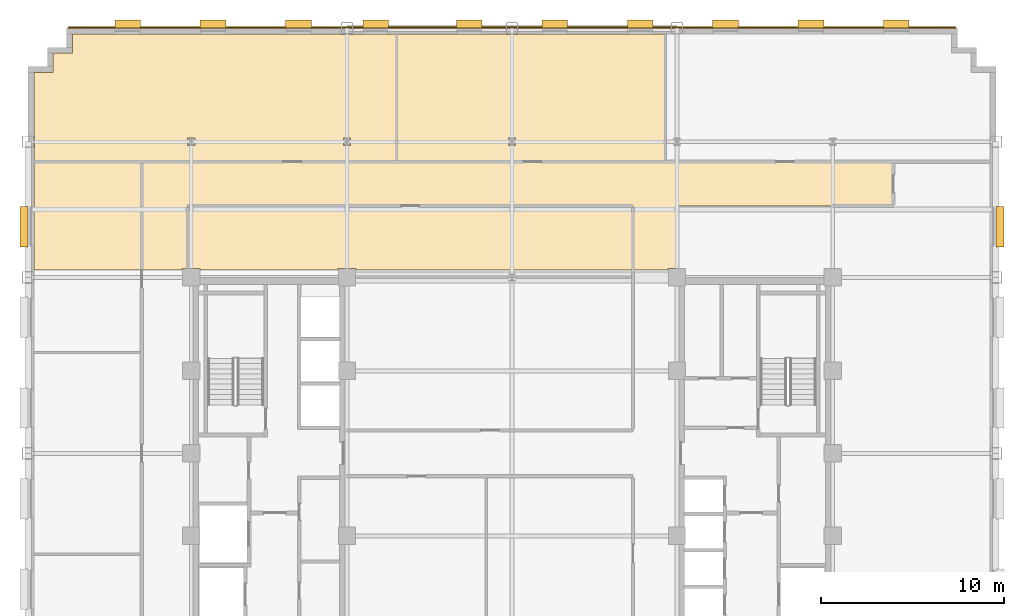
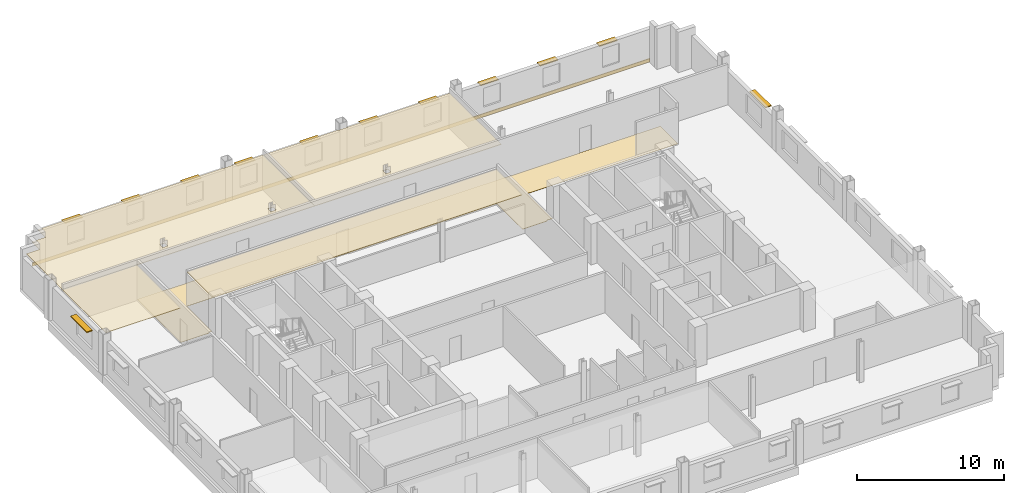
# One storey, part 13 of 13: 12 shading devices, 6 coverings.
"""IFC4 building model written with IfcOpenShell, lengths in metres."""

from ifc_helpers import new_model, si_unit, direction, frame, origin, origin_2d, place, context, subcontext, project, spatial, polyline, rectangle, outline, extrude, source, transform, mapped, material, layer, layer_set, type_object, type_shapes, element, save


model = new_model("IFC4")

# Units and contexts
model_context = context("Model", 3, precision=1e-05, world=origin(), true_north=direction((0.0, 1.0)))
body_context = subcontext(model_context, "Body", "Model", "MODEL_VIEW")
ifc_project = project(units=[si_unit("LENGTHUNIT", "METRE"), si_unit("AREAUNIT", "SQUARE_METRE"), si_unit("VOLUMEUNIT", "CUBIC_METRE"), si_unit("PLANEANGLEUNIT", "RADIAN"), si_unit("MASSUNIT", "GRAM", prefix="KILO")], contexts=[model_context])

# Site, building, storey
site_placement = place(None, origin())
site = spatial("IfcSite", under=ifc_project, at=site_placement, CompositionType="ELEMENT")
building_placement = place(site_placement, origin())
building = spatial("IfcBuilding", under=site, at=building_placement, Name="Nuvemarco Arch Tower", CompositionType="ELEMENT")
storey_placement = place(building_placement, frame((0.0, 0.0, 149.39990234375)))
storey = spatial("IfcBuildingStorey", under=building, at=storey_placement, Name="L39", CompositionType="ELEMENT", Elevation=149.39990234375)

# Coverings
ifc_material_1 = material(Name="Mineral acoustic ceiling tile")
ifc_layer_1 = layer(ifc_material_1, 0.0400390625, Name="COV-ACOUSTIC-CLG")
ifc_layer_set_1 = layer_set([ifc_layer_1], Name="Mineral acoustic ceiling tile")
covering_type_1 = type_object("IfcCoveringType", Name="COV-ACOUSTIC-CLG", PredefinedType="CEILING", material=ifc_layer_set_1)
covering_1_placement = place(storey_placement, frame((0.0, 0.0, 2.85009765625)))
element("IfcCovering", 1, at=covering_1_placement, inside=storey, type_object=covering_type_1, Name="L39 suspended acoustic ceiling 2", PredefinedType="CEILING", context=body_context, shape_type="SweptSolid", body=[
    extrude(outline(polyline([(-26.06005859375, 16.659912109375), (-26.06005859375, 17.340087890625), (-26.080078125, 17.340087890625), (-26.080078125, 20.780029296875), (-25.030029296875, 20.780029296875), (-25.030029296875, 21.830078125), (-23.97998046875, 21.830078125), (-23.97998046875, 22.8798828125), (-9.340087890625, 22.8798828125), (-9.340087890625, 22.860107421875), (-8.659912109375, 22.860107421875), (-8.659912109375, 22.8798828125), (-6.280029296875, 22.8798828125), (-6.280029296875, 15.89990234375), (-17.699951171875, 15.89990234375), (-20.199951171875, 15.89990234375), (-26.080078125, 15.89990234375), (-26.080078125, 16.659912109375), (-26.06005859375, 16.659912109375)]), holes=[polyline([(-17.304931640625, 16.804931640625), (-17.304931640625, 17.195068359375), (-17.695068359375, 17.195068359375), (-17.695068359375, 16.804931640625), (-17.304931640625, 16.804931640625)]), polyline([(-8.804931640625, 16.804931640625), (-8.804931640625, 17.195068359375), (-9.195068359375, 17.195068359375), (-9.195068359375, 16.804931640625), (-8.804931640625, 16.804931640625)])]), origin(), (0.0, 0.0, 1.0), 0.0400390625),
])
covering_2_placement = place(storey_placement, frame((0.0, 0.0, 2.85009765625)))
element("IfcCovering", 2, at=covering_2_placement, inside=storey, type_object=covering_type_1, Name="L39 suspended acoustic ceiling 3", PredefinedType="CEILING", context=body_context, shape_type="SweptSolid", body=[
    extrude(outline(polyline([(-0.340087890625, 22.860107421875), (0.340087890625, 22.860107421875), (0.340087890625, 22.8798828125), (8.35009765625, 22.8798828125), (8.35009765625, 15.89990234375), (6.60009765625, 15.89990234375), (-6.280029296875, 15.89990234375), (-6.280029296875, 22.8798828125), (-0.340087890625, 22.8798828125), (-0.340087890625, 22.860107421875)]), holes=[polyline([(0.195068359375, 16.804931640625), (0.195068359375, 17.195068359375), (-0.195068359375, 17.195068359375), (-0.195068359375, 16.804931640625), (0.195068359375, 16.804931640625)])]), origin(), (0.0, 0.0, 1.0), 0.0400390625),
])
covering_3_placement = place(storey_placement, frame((0.0, 0.0, 2.85009765625)))
element("IfcCovering", 3, at=covering_3_placement, inside=storey, type_object=covering_type_1, Name="L39 suspended acoustic ceiling 4", PredefinedType="CEILING", context=body_context, shape_type="SweptSolid", body=[
    extrude(outline(polyline([(6.60009765625, 13.5), (6.60009765625, 10.0), (-8.510009765625, 10.0), (-8.510009765625, 10.090087890625), (-9.489990234375, 10.090087890625), (-9.489990234375, 10.0), (-17.010009765625, 10.0), (-17.010009765625, 10.090087890625), (-17.699951171875, 10.090087890625), (-17.699951171875, 13.5), (6.60009765625, 13.5)])), origin(), (0.0, 0.0, 1.0), 0.0400390625),
])
covering_4_placement = place(storey_placement, frame((0.0, 0.0, 2.85009765625)))
element("IfcCovering", 4, at=covering_4_placement, inside=storey, type_object=covering_type_1, Name="L39 suspended acoustic ceiling 8", PredefinedType="CEILING", context=body_context, shape_type="SweptSolid", body=[
    extrude(outline(polyline([(-20.199951171875, 15.89990234375), (-20.199951171875, 13.5), (-20.199951171875, 10.0), (-26.080078125, 10.0), (-26.080078125, 15.89990234375), (-20.199951171875, 15.89990234375)])), origin(), (0.0, 0.0, 1.0), 0.0400390625),
])
ifc_material_2 = material(Name="Polished granite terrazzostone flooring", Category="masonry")
ifc_layer_2 = layer(ifc_material_2, 0.02001953125, Name="COV-LOBBY-FLR")
ifc_layer_set_2 = layer_set([ifc_layer_2], Name="Polished granite terrazzostone flooring")
covering_type_2 = type_object("IfcCoveringType", Name="COV-LOBBY-FLR", PredefinedType="FLOORING", material=ifc_layer_set_2)
covering_5_placement = place(storey_placement, origin())
element("IfcCovering", 5, at=covering_5_placement, inside=storey, type_object=covering_type_2, Name="L39 polished terrazzo lobby flooring", PredefinedType="FLOORING", context=body_context, shape_type="SweptSolid", body=[
    extrude(outline(polyline([(-20.199951171875, 13.5), (-20.199951171875, 15.89990234375), (-17.699951171875, 15.89990234375), (6.60009765625, 15.89990234375), (9.0, 15.89990234375), (20.800048828125, 15.89990234375), (20.800048828125, 13.5), (9.0, 13.5), (9.0, 10.090087890625), (8.510009765625, 10.090087890625), (8.510009765625, 10.0), (6.60009765625, 10.0), (6.60009765625, 13.5), (-17.699951171875, 13.5), (-17.699951171875, 10.090087890625), (-17.989990234375, 10.090087890625), (-17.989990234375, 10.0), (-20.199951171875, 10.0), (-20.199951171875, 13.5)])), origin(), (0.0, 0.0, 1.0), 0.02001953125),
])

# Shading devices
ifc_material_3 = material(Name="Anodised aluminium 6063-T6", Category="aluminium")
shading_device_type_1 = type_object("IfcShadingDeviceType", Name="SHD-BRISE-SOLEIL", PredefinedType="USERDEFINED", material=ifc_material_3)
shared_shape_1 = source(origin(), body_context, "Body", "SweptSolid", [
    extrude(rectangle(XDim=2.199951171875, YDim=0.449951171875, at=origin_2d()), origin(), (0.0, 0.0, 1.0), 0.080078125),
])
type_shapes(shading_device_type_1, [shared_shape_1])
for number, where, z_axis, x_axis, name in (
    (6, (26.614990234375, 12.364990234375, 2.364990234375), (0.0, 0.0, 1.0), (0.0, 1.0, 0.0), "L39 horizontal brise-soleil sunshade"),
    (7, (-26.614990234375, 12.364990234375, 2.364990234375), (0.0, 0.0, 1.0), (0.0, 1.0, 0.0), "L39 horizontal brise-soleil sunshade"),
):
    element("IfcShadingDevice", number, at=place(storey_placement, frame(where, z_axis=z_axis, x_axis=x_axis)), inside=storey, type_object=shading_device_type_1, Name=name, ObjectType="SUNSHADE", PredefinedType="USERDEFINED", context=body_context, shape_type="MappedRepresentation", body=[
        mapped(shared_shape_1, transform((0.0, 0.0, 0.0), scale=1.0)),
    ])
shading_device_type_2 = type_object("IfcShadingDeviceType", Name="SHD-BRISE-NARROW", PredefinedType="USERDEFINED", material=ifc_material_3)
shared_shape_2 = source(origin(), body_context, "Body", "SweptSolid", [
    extrude(rectangle(XDim=1.39990234375, YDim=0.449951171875, at=origin_2d()), origin(), (0.0, 0.0, 1.0), 0.080078125),
])
type_shapes(shading_device_type_2, [shared_shape_2])
for number, where, z_axis, x_axis, name in (
    (8, (-20.969970703125, 23.4150390625, 2.364990234375), (0.0, 0.0, 1.0), (1.0, 0.0, 0.0), "L39 horizontal brise-soleil sunshade"),
    (9, (-16.31005859375, 23.4150390625, 2.364990234375), (0.0, 0.0, 1.0), (1.0, 0.0, 0.0), "L39 horizontal brise-soleil sunshade"),
    (10, (-11.64990234375, 23.4150390625, 2.364990234375), (0.0, 0.0, 1.0), (1.0, 0.0, 0.0), "L39 horizontal brise-soleil sunshade"),
    (11, (-7.43994140625, 23.4150390625, 2.364990234375), (0.0, 0.0, 1.0), (1.0, 0.0, 0.0), "L39 horizontal brise-soleil sunshade"),
    (12, (-2.330078125, 23.4150390625, 2.364990234375), (0.0, 0.0, 1.0), (1.0, 0.0, 0.0), "L39 horizontal brise-soleil sunshade"),
    (13, (2.330078125, 23.4150390625, 2.364990234375), (0.0, 0.0, 1.0), (1.0, 0.0, 0.0), "L39 horizontal brise-soleil sunshade"),
    (14, (6.989990234375, 23.4150390625, 2.364990234375), (0.0, 0.0, 1.0), (1.0, 0.0, 0.0), "L39 horizontal brise-soleil sunshade"),
    (15, (11.64990234375, 23.4150390625, 2.364990234375), (0.0, 0.0, 1.0), (1.0, 0.0, 0.0), "L39 horizontal brise-soleil sunshade"),
    (16, (16.31005859375, 23.4150390625, 2.364990234375), (0.0, 0.0, 1.0), (1.0, 0.0, 0.0), "L39 horizontal brise-soleil sunshade"),
    (17, (20.969970703125, 23.4150390625, 2.364990234375), (0.0, 0.0, 1.0), (1.0, 0.0, 0.0), "L39 horizontal brise-soleil sunshade"),
):
    element("IfcShadingDevice", number, at=place(storey_placement, frame(where, z_axis=z_axis, x_axis=x_axis)), inside=storey, type_object=shading_device_type_2, Name=name, ObjectType="SUNSHADE", PredefinedType="USERDEFINED", context=body_context, shape_type="MappedRepresentation", body=[
        mapped(shared_shape_2, transform((0.0, 0.0, 0.0), scale=1.0)),
    ])

# Covering
ifc_material_4 = material(Name="Precast concrete C45/55", Category="concrete")
ifc_layer_3 = layer(ifc_material_4, 0.06005859375, Name="COV-SPANDREL-CLAD")
ifc_layer_set_3 = layer_set([ifc_layer_3], Name="Precast concrete C45/55")
covering_type_3 = type_object("IfcCoveringType", Name="COV-SPANDREL-CLAD", PredefinedType="CLADDING", material=ifc_layer_set_3)
shared_shape_3 = source(origin(), body_context, "Body", "SweptSolid", [
    extrude(rectangle(XDim=48.39990234375, YDim=0.06005859375, at=origin_2d()), origin(), (0.0, 0.0, 1.0), 0.280029296875),
])
type_shapes(covering_type_3, [shared_shape_3])
covering_6_placement = place(storey_placement, frame((0.0, 23.22900390625, -0.27978515625), z_axis=(0.0, 0.0, 1.0), x_axis=(1.0, 0.0, 0.0)))
element("IfcCovering", 18, at=covering_6_placement, inside=storey, type_object=covering_type_3, Name="L39 precast spandrel edge cladding north", PredefinedType="CLADDING", context=body_context, shape_type="MappedRepresentation", body=[
    mapped(shared_shape_3, transform((0.0, 0.0, 0.0), scale=1.0)),
])

save(model, "model.ifc")
